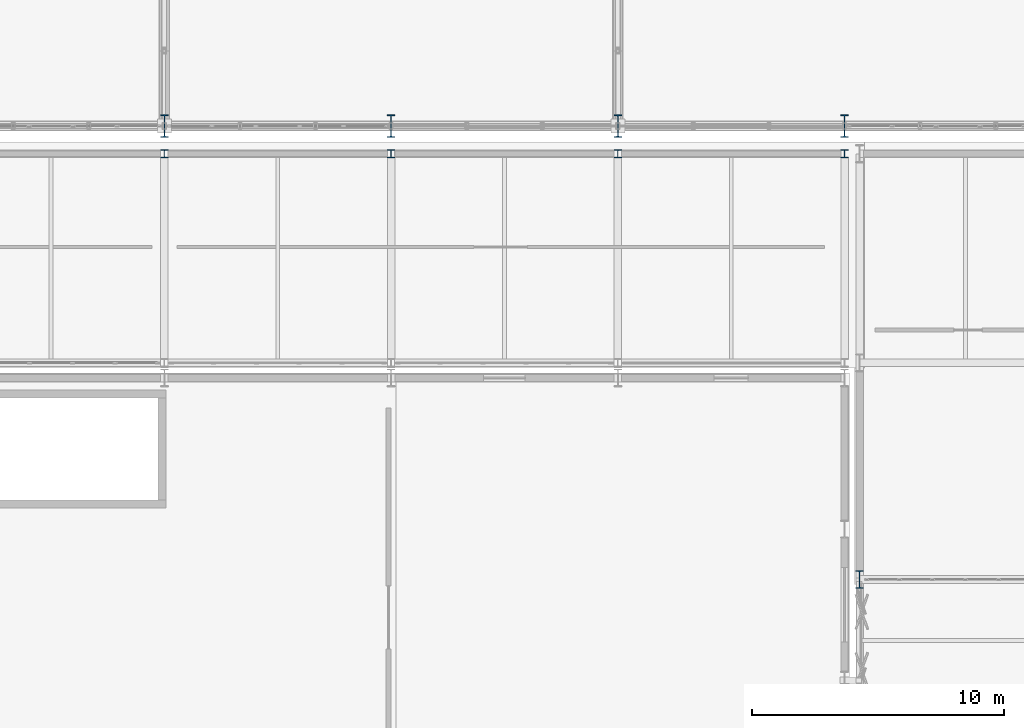
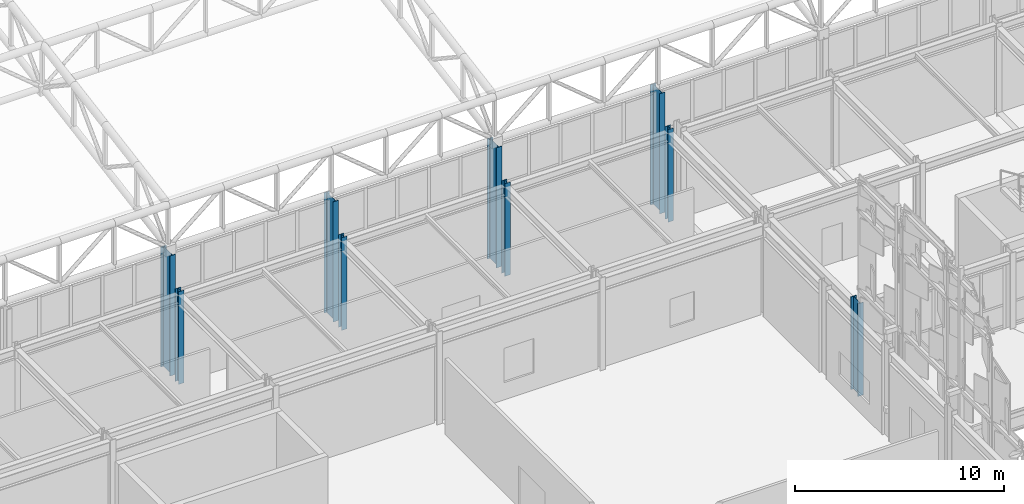
# One storey, part 6 of 239: 9 columns.
"""IFC4 building model written with IfcOpenShell, lengths in metres."""

from ifc_helpers import new_model, si_unit, direction, frame, origin, origin_2d, place, context, subcontext, project, spatial, i_section, extrude, material, material_profile, profile_set, type_object, element, save


model = new_model("IFC4")

# Units and contexts
model_context = context("Model", 3, precision=1e-05, world=origin(), true_north=direction((0.0, 1.0)))
body_context = subcontext(model_context, "Body", "Model", "MODEL_VIEW")
ifc_project = project(units=[si_unit("LENGTHUNIT", "METRE"), si_unit("AREAUNIT", "SQUARE_METRE"), si_unit("VOLUMEUNIT", "CUBIC_METRE"), si_unit("PLANEANGLEUNIT", "RADIAN"), si_unit("MASSUNIT", "GRAM", prefix="KILO")], contexts=[model_context])

# Site, building, storey
site_placement = place(None, origin())
site = spatial("IfcSite", under=ifc_project, at=site_placement, CompositionType="ELEMENT")
building_placement = place(site_placement, origin())
building = spatial("IfcBuilding", under=site, at=building_placement, Name="Kaldris Quays Convention Centre", CompositionType="ELEMENT")
storey_placement = place(building_placement, frame((0.0, 0.0, 11.39990234375)))
storey = spatial("IfcBuildingStorey", under=building, at=storey_placement, Name="L02", CompositionType="ELEMENT", Elevation=11.39990234375)

# Columns
ifc_material = material(Name="Steel S355J2", Category="steel")
ifc_material_profile_1 = material_profile(ifc_material, i_section(OverallWidth=0.300048828125, OverallDepth=0.89990234375, WebThickness=0.0185546875, FlangeThickness=0.034912109375, FilletRadius=0.030029296875, at=origin_2d()), Name="HEB 900")
ifc_profile_set_1 = profile_set([ifc_material_profile_1], Name="Steel S355J2")
column_type_1 = type_object("IfcColumnType", Name="STRUCTURAL COLUMN CL03", PredefinedType="COLUMN", material=ifc_profile_set_1)
for number, where, z_axis, x_axis, name in (
    (1, (56.0, 56.0, 0.0), (0.0, 0.0, 1.0), (1.0, 0.0, 0.0), "L02 V1 Column CL03 (56.00, 56.00)"),
    (2, (65.0, 56.0, 0.0), (0.0, 0.0, 1.0), (1.0, 0.0, 0.0), "L02 V1 Column CL03 (65.00, 56.00)"),
    (3, (74.0, 56.0, 0.0), (0.0, 0.0, 1.0), (1.0, 0.0, 0.0), "L02 V1 Column CL03 (74.00, 56.00)"),
    (4, (83.0, 56.0, 0.0), (0.0, 0.0, 1.0), (1.0, 0.0, 0.0), "L02 V1 Column CL03 (83.00, 56.00)"),
):
    element("IfcColumn", number, at=place(storey_placement, frame(where, z_axis=z_axis, x_axis=x_axis)), inside=storey, type_object=column_type_1, Name=name, PredefinedType="COLUMN", context=body_context, shape_type="SweptSolid", body=[
        extrude(i_section(OverallWidth=0.300048828125, OverallDepth=0.89990234375, WebThickness=0.0185546875, FlangeThickness=0.034912109375, FilletRadius=0.030029296875, at=origin_2d()), origin(), (0.0, 0.0, 1.0), 7.0),
    ])
ifc_material_profile_2 = material_profile(ifc_material, i_section(OverallWidth=0.300048828125, OverallDepth=0.699951171875, WebThickness=0.01708984375, FlangeThickness=0.031982421875, FilletRadius=0.027099609375, at=origin_2d()), Name="HEB 700")
ifc_profile_set_2 = profile_set([ifc_material_profile_2], Name="Steel S355J2")
column_type_2 = type_object("IfcColumnType", Name="STRUCTURAL COLUMN CL05", PredefinedType="COLUMN", material=ifc_profile_set_2)
column_placement = place(storey_placement, frame((83.60009765625, 38.0, 0.0), z_axis=(0.0, 0.0, 1.0), x_axis=(1.0, 0.0, 0.0)))
element("IfcColumn", 5, at=column_placement, inside=storey, type_object=column_type_2, Name="L02 V4 Column CL05 (83.60, 38.00)", PredefinedType="COLUMN", context=body_context, shape_type="SweptSolid", body=[
    extrude(i_section(OverallWidth=0.300048828125, OverallDepth=0.699951171875, WebThickness=0.01708984375, FlangeThickness=0.031982421875, FilletRadius=0.027099609375, at=origin_2d()), origin(), (0.0, 0.0, 1.0), 5.400146484375),
])
ifc_material_profile_3 = material_profile(ifc_material, i_section(OverallWidth=0.300048828125, OverallDepth=0.31005859375, WebThickness=0.009033203125, FlangeThickness=0.015380859375, FilletRadius=0.027099609375, at=origin_2d()), Name="HEA 320")
ifc_profile_set_3 = profile_set([ifc_material_profile_3], Name="Steel S355J2")
column_type_3 = type_object("IfcColumnType", Name="STRUCTURAL COLUMN CL17", PredefinedType="COLUMN", material=ifc_profile_set_3)
for number, where, z_axis, x_axis, name in (
    (6, (56.0, 54.89990234375, 0.0), (0.0, 0.0, 1.0), (1.0, 0.0, 0.0), "L02 V4 Column CL17 (56.00, 54.90)"),
    (7, (65.0, 54.89990234375, 0.0), (0.0, 0.0, 1.0), (1.0, 0.0, 0.0), "L02 V4 Column CL17 (65.00, 54.90)"),
    (8, (74.0, 54.89990234375, 0.0), (0.0, 0.0, 1.0), (1.0, 0.0, 0.0), "L02 V4 Column CL17 (74.00, 54.90)"),
    (9, (83.0, 54.89990234375, 0.0), (0.0, 0.0, 1.0), (1.0, 0.0, 0.0), "L02 V4 Column CL17 (83.00, 54.90)"),
):
    element("IfcColumn", number, at=place(storey_placement, frame(where, z_axis=z_axis, x_axis=x_axis)), inside=storey, type_object=column_type_3, Name=name, PredefinedType="COLUMN", context=body_context, shape_type="SweptSolid", body=[
        extrude(i_section(OverallWidth=0.300048828125, OverallDepth=0.31005859375, WebThickness=0.009033203125, FlangeThickness=0.015380859375, FilletRadius=0.027099609375, at=origin_2d()), origin(), (0.0, 0.0, 1.0), 5.400146484375),
    ])

save(model, "model.ifc")
